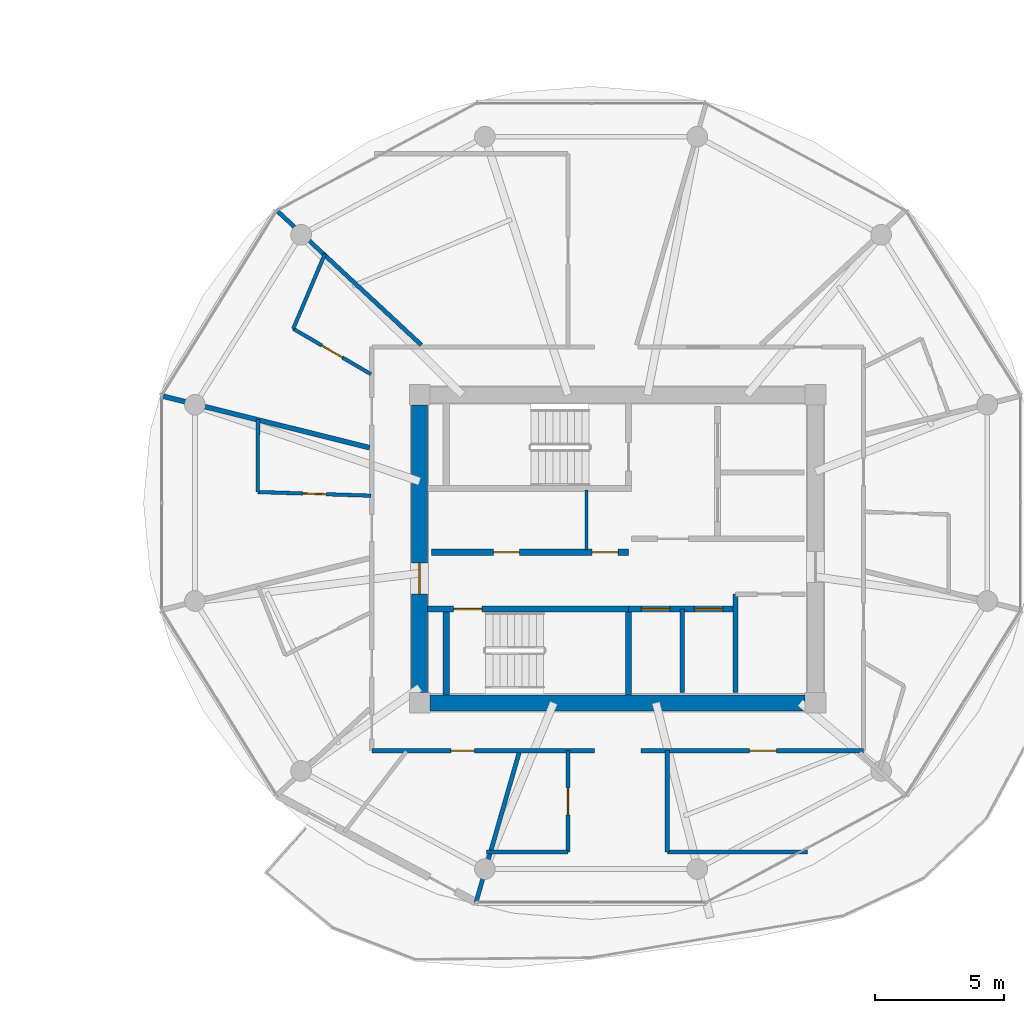
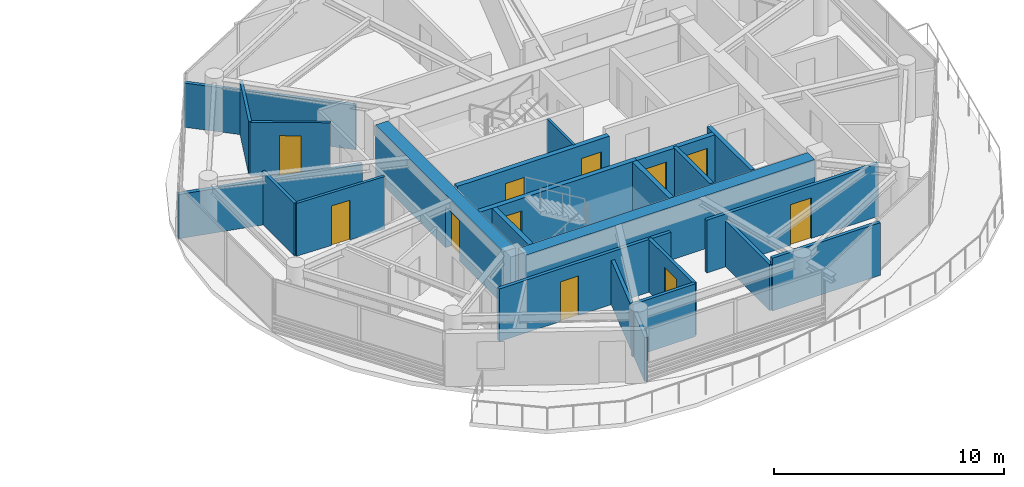
# One storey, part 16 of 24: 23 walls, 11 doors, 11 openings.
"""IFC4 building model written with IfcOpenShell, lengths in metres."""

from ifc_helpers import new_model, si_unit, direction, frame, frame_2d, origin, place, context, subcontext, project, spatial, rectangle, extrude, source, transform, mapped, material, layer, layer_set, type_object, type_shapes, element, fill, save


model = new_model("IFC4")

# Units and contexts
model_context = context("Model", 3, precision=1e-05, world=origin(), true_north=direction((0.0, 1.0)))
body_context = subcontext(model_context, "Body", "Model", "MODEL_VIEW")
ifc_project = project(units=[si_unit("LENGTHUNIT", "METRE"), si_unit("AREAUNIT", "SQUARE_METRE"), si_unit("VOLUMEUNIT", "CUBIC_METRE"), si_unit("PLANEANGLEUNIT", "RADIAN"), si_unit("MASSUNIT", "GRAM", prefix="KILO")], contexts=[model_context])

# Site, building, storey
site_placement = place(None, origin())
site = spatial("IfcSite", under=ifc_project, at=site_placement, CompositionType="ELEMENT")
building_placement = place(site_placement, origin())
building = spatial("IfcBuilding", under=site, at=building_placement, Name="Norrkilde Senior Care Towers", CompositionType="ELEMENT")
storey_placement = place(building_placement, frame((0.0, 0.0, 155.64990234375)))
storey = spatial("IfcBuildingStorey", under=building, at=storey_placement, Name="L48", CompositionType="ELEMENT", Elevation=155.64990234375)

# Wall
ifc_material_1 = material(Name="Concrete C50/60", Category="concrete")
ifc_layer_1 = layer(ifc_material_1, 0.6201171875)
ifc_layer_set_1 = layer_set([ifc_layer_1], Name="Concrete C50/60")
wall_type_1 = type_object("IfcWallType", Name="Core Shear Wall Z3 620", PredefinedType="SHEAR", material=ifc_layer_set_1)
shared_shape_1 = source(origin(), body_context, "Body", "SweptSolid", [
    extrude(rectangle(XDim=14.5, YDim=0.6201171875, at=frame_2d((7.25, 0.0))), origin(), (0.0, 0.0, 1.0), 2.81005859375),
])
wall_1_placement = place(storey_placement, frame((35.25, -5.949951171875, 0.0), z_axis=(0.0, 0.0, 1.0), x_axis=(-1.0, 0.0, 0.0)))
element("IfcWall", 1, at=wall_1_placement, inside=storey, type_object=wall_type_1, Name="L48 Core E South Shear Wall", PredefinedType="SHEAR", context=body_context, shape_type="MappedRepresentation", body=[
    mapped(shared_shape_1, transform((0.0, 0.0, 0.0), x_axis=(1.0, 0.0, 0.0), y_axis=(0.0, 1.0, 0.0), z_axis=(0.0, 0.0, 1.0), scale=1.0)),
])

# Wall, opening, door
shared_shape_2 = source(origin(), body_context, "Body", "SweptSolid", [
    extrude(rectangle(XDim=11.10009765625, YDim=0.6201171875, at=frame_2d((5.550048828125, 0.0))), origin(), (0.0, 0.0, 1.0), 2.81005859375),
])
type_shapes(wall_type_1, [shared_shape_1, shared_shape_2])
wall_2_placement = place(storey_placement, frame((20.35009765625, -5.550048828125, 0.0), z_axis=(0.0, 0.0, 1.0), x_axis=(0.0, 1.0, 0.0)))
wall_2 = element("IfcWall", 2, at=wall_2_placement, inside=storey, type_object=wall_type_1, Name="L48 Core E West Shear Wall", PredefinedType="SHEAR", context=body_context, shape_type="MappedRepresentation", body=[
    mapped(shared_shape_2, transform((0.0, 0.0, 0.0), x_axis=(1.0, 0.0, 0.0), y_axis=(0.0, 1.0, 0.0), z_axis=(0.0, 0.0, 1.0), scale=1.0)),
])
opening_1_placement = place(wall_2_placement, frame((3.800048828125, 0.0, 0.0)))
opening_1 = element("IfcOpeningElement", 3, at=opening_1_placement, cuts=wall_2, Name="Opening D-04", PredefinedType="OPENING", context=body_context, shape_type="SweptSolid", body=[
    extrude(rectangle(XDim=1.199951171875, YDim=2.14990234375, at=frame_2d((0.60009765625, 1.074951171875))), frame((0.0, 0.320068359375, 0.0), z_axis=(0.0, -1.0, 0.0), x_axis=(1.0, 0.0, 0.0)), (0.0, 0.0, 1.0), 0.64013671875),
])
ifc_material_2 = material(Name="Galvanised Painted Steel", Category="steel")
door_type_1 = type_object("IfcDoorType", Name="Firefighting Lobby Fire Door 1200x2150", OperationType="NOTDEFINED", PredefinedType="DOOR", material=ifc_material_2)
shared_shape_3 = source(origin(), body_context, "Body", "SweptSolid", [
    extrude(rectangle(XDim=1.199951171875, YDim=2.14990234375, at=frame_2d((0.60009765625, 1.074951171875))), frame((0.0, 0.02490234375, 0.0), z_axis=(0.0, -1.0, 0.0), x_axis=(1.0, 0.0, 0.0)), (0.0, 0.0, 1.0), 0.050048828125),
])
type_shapes(door_type_1, [shared_shape_3])
door_1_placement = place(opening_1_placement, frame((1.199951171875, 0.0, 0.0), z_axis=(0.0, 0.0, 1.0), x_axis=(-1.0, 0.0, 0.0)))
door_1 = element("IfcDoor", 4, at=door_1_placement, inside=storey, type_object=door_type_1, Name="L48 Core E West Portal Door", OperationType="SINGLE_SWING_LEFT", OverallHeight=2.14990234375, OverallWidth=1.199951171875, PredefinedType="DOOR", context=body_context, shape_type="MappedRepresentation", body=[
    mapped(shared_shape_3, transform((0.0, 0.0, 0.0), x_axis=(1.0, 0.0, 0.0), y_axis=(0.0, 1.0, 0.0), z_axis=(0.0, 0.0, 1.0), scale=1.0)),
])
fill(opening_1, door_1)

ifc_material_3 = material(Name="Concrete C45/55", Category="concrete")
ifc_layer_2 = layer(ifc_material_3, 0.239990234375)
ifc_layer_set_2 = layer_set([ifc_layer_2], Name="Concrete C45/55")
wall_type_2 = type_object("IfcWallType", Name="Shaft and Stair Enclosure Wall 240", PredefinedType="PARTITIONING", material=ifc_layer_set_2)
shared_shape_4 = source(origin(), body_context, "Body", "SweptSolid", [
    extrude(rectangle(XDim=7.880126953125, YDim=0.239990234375, at=frame_2d((3.93994140625, 0.0))), origin(), (0.0, 0.0, 1.0), 2.81005859375),
])
wall_3_placement = place(storey_placement, frame((20.659912109375, -2.330078125, 0.0), z_axis=(0.0, 0.0, 1.0), x_axis=(1.0, 0.0, 0.0)))
wall_3 = element("IfcWall", 5, at=wall_3_placement, inside=storey, type_object=wall_type_2, Name="WL-INT-L48-E-ST2N", PredefinedType="PARTITIONING", context=body_context, shape_type="MappedRepresentation", body=[
    mapped(shared_shape_4, transform((0.0, 0.0, 0.0), x_axis=(1.0, 0.0, 0.0), y_axis=(0.0, 1.0, 0.0), z_axis=(0.0, 0.0, 1.0), scale=1.0)),
])
opening_2_placement = place(wall_3_placement, frame((1.0, 0.0, 0.0)))
opening_2 = element("IfcOpeningElement", 6, at=opening_2_placement, cuts=wall_3, Name="Opening D-03", PredefinedType="OPENING", context=body_context, shape_type="SweptSolid", body=[
    extrude(rectangle(XDim=1.10009765625, YDim=2.14990234375, at=frame_2d((0.550048828125, 1.074951171875))), frame((0.0, 0.1298828125, 0.0), z_axis=(0.0, -1.0, 0.0), x_axis=(1.0, 0.0, 0.0)), (0.0, 0.0, 1.0), 0.260009765625),
])
door_type_2 = type_object("IfcDoorType", Name="Stairwell Protected Fire Door 1100x2150", OperationType="NOTDEFINED", PredefinedType="DOOR", material=ifc_material_2)
shared_shape_5 = source(origin(), body_context, "Body", "SweptSolid", [
    extrude(rectangle(XDim=1.10009765625, YDim=2.14990234375, at=frame_2d((0.550048828125, 1.074951171875))), frame((0.0, 0.02490234375, 0.0), z_axis=(0.0, -1.0, 0.0), x_axis=(1.0, 0.0, 0.0)), (0.0, 0.0, 1.0), 0.050048828125),
])
type_shapes(door_type_2, [shared_shape_5])
door_2_placement = place(opening_2_placement, frame((1.10009765625, 0.0, 0.0), z_axis=(0.0, 0.0, 1.0), x_axis=(-1.0, 0.0, 0.0)))
door_2 = element("IfcDoor", 7, at=door_2_placement, inside=storey, type_object=door_type_2, Name="L48 Stair E2 Fire Door", OperationType="SINGLE_SWING_RIGHT", OverallHeight=2.14990234375, OverallWidth=1.10009765625, PredefinedType="DOOR", context=body_context, shape_type="MappedRepresentation", body=[
    mapped(shared_shape_5, transform((0.0, 0.0, 0.0), x_axis=(1.0, 0.0, 0.0), y_axis=(0.0, 1.0, 0.0), z_axis=(0.0, 0.0, 1.0), scale=1.0)),
])
fill(opening_2, door_2)

# Walls
shared_shape_6 = source(origin(), body_context, "Body", "SweptSolid", [
    extrude(rectangle(XDim=3.18994140625, YDim=0.239990234375, at=frame_2d((1.594970703125, 0.0))), origin(), (0.0, 0.0, 1.0), 2.81005859375),
])
type_shapes(wall_type_2, [shared_shape_4, shared_shape_6])
for number, where, z_axis, x_axis, name in (
    (8, (21.3798828125, -5.639892578125, 0.0), (0.0, 0.0, 1.0), (0.0, 1.0, 0.0), "WL-INT-L48-E-ST2W"),
    (9, (28.419921875, -5.639892578125, 0.0), (0.0, 0.0, 1.0), (0.0, 1.0, 0.0), "WL-INT-L48-E-ST2E"),
):
    element("IfcWall", number, at=place(storey_placement, frame(where, z_axis=z_axis, x_axis=x_axis)), inside=storey, type_object=wall_type_2, Name=name, PredefinedType="PARTITIONING", context=body_context, shape_type="MappedRepresentation", body=[
        mapped(shared_shape_6, transform((0.0, 0.0, 0.0), x_axis=(1.0, 0.0, 0.0), y_axis=(0.0, 1.0, 0.0), z_axis=(0.0, 0.0, 1.0), scale=1.0)),
    ])

# Wall, openings, doors
ifc_layer_3 = layer(ifc_material_3, 0.239990234375)
ifc_layer_set_3 = layer_set([ifc_layer_3], Name="Concrete C45/55")
wall_type_3 = type_object("IfcWallType", Name="Lift and Plant Rated Enclosure Partition 240", PredefinedType="PARTITIONING", material=ifc_layer_set_3)
shared_shape_7 = source(origin(), body_context, "Body", "SweptSolid", [
    extrude(rectangle(XDim=7.619873046875, YDim=0.239990234375, at=frame_2d((3.81005859375, 0.0))), origin(), (0.0, 0.0, 1.0), 2.795166015625),
])
wall_4_placement = place(storey_placement, frame((20.800048828125, -0.1298828125, 0.0), z_axis=(0.0, 0.0, 1.0), x_axis=(1.0, 0.0, 0.0)))
wall_4 = element("IfcWall", 10, at=wall_4_placement, inside=storey, type_object=wall_type_3, Name="WL-INT-L48-E-PKAS", PredefinedType="PARTITIONING", context=body_context, shape_type="MappedRepresentation", body=[
    mapped(shared_shape_7, transform((0.0, 0.0, 0.0), x_axis=(1.0, 0.0, 0.0), y_axis=(0.0, 1.0, 0.0), z_axis=(0.0, 0.0, 1.0), scale=1.0)),
])
opening_3_placement = place(wall_4_placement, frame((6.219970703125, 0.0, 0.0)))
opening_3 = element("IfcOpeningElement", 11, at=opening_3_placement, cuts=wall_4, Name="Opening D-10", PredefinedType="OPENING", context=body_context, shape_type="SweptSolid", body=[
    extrude(rectangle(XDim=1.0, YDim=2.10009765625, at=frame_2d((0.5, 1.050048828125))), frame((0.0, 0.1298828125, 0.0), z_axis=(0.0, -1.0, 0.0), x_axis=(1.0, 0.0, 0.0)), (0.0, 0.0, 1.0), 0.260009765625),
])
opening_4_placement = place(wall_4_placement, frame((2.39990234375, 0.0, 0.0)))
opening_4 = element("IfcOpeningElement", 12, at=opening_4_placement, cuts=wall_4, Name="Opening D-10", PredefinedType="OPENING", context=body_context, shape_type="SweptSolid", body=[
    extrude(rectangle(XDim=1.0, YDim=2.10009765625, at=frame_2d((0.5, 1.050048828125))), frame((0.0, 0.1298828125, 0.0), z_axis=(0.0, -1.0, 0.0), x_axis=(1.0, 0.0, 0.0)), (0.0, 0.0, 1.0), 0.260009765625),
])
door_type_3 = type_object("IfcDoorType", Name="Plant and Riser Rated Door 1000x2100", OperationType="NOTDEFINED", PredefinedType="DOOR", material=ifc_material_2)
shared_shape_8 = source(origin(), body_context, "Body", "SweptSolid", [
    extrude(rectangle(XDim=1.0, YDim=2.10009765625, at=frame_2d((0.5, 1.050048828125))), frame((0.0, 0.02490234375, 0.0), z_axis=(0.0, -1.0, 0.0), x_axis=(1.0, 0.0, 0.0)), (0.0, 0.0, 1.0), 0.050048828125),
])
type_shapes(door_type_3, [shared_shape_8])
door_3_placement = place(opening_3_placement, frame((1.0, 0.0, 0.0), z_axis=(0.0, 0.0, 1.0), x_axis=(-1.0, 0.0, 0.0)))
door_3 = element("IfcDoor", 13, at=door_3_placement, inside=storey, type_object=door_type_3, Name="L48 Electrical Riser E Door", OperationType="SINGLE_SWING_LEFT", OverallHeight=2.10009765625, OverallWidth=1.0, PredefinedType="DOOR", context=body_context, shape_type="MappedRepresentation", body=[
    mapped(shared_shape_8, transform((0.0, 0.0, 0.0), x_axis=(1.0, 0.0, 0.0), y_axis=(0.0, 1.0, 0.0), z_axis=(0.0, 0.0, 1.0), scale=1.0)),
])
fill(opening_3, door_3)
door_4_placement = place(opening_4_placement, frame((1.0, 0.0, 0.0), z_axis=(0.0, 0.0, 1.0), x_axis=(-1.0, 0.0, 0.0)))
door_4 = element("IfcDoor", 14, at=door_4_placement, inside=storey, type_object=door_type_3, Name="L48 Clean Supply Store E Door", OperationType="SINGLE_SWING_LEFT", OverallHeight=2.10009765625, OverallWidth=1.0, PredefinedType="DOOR", context=body_context, shape_type="MappedRepresentation", body=[
    mapped(shared_shape_8, transform((0.0, 0.0, 0.0), x_axis=(1.0, 0.0, 0.0), y_axis=(0.0, 1.0, 0.0), z_axis=(0.0, 0.0, 1.0), scale=1.0)),
])
fill(opening_4, door_4)

# Walls
ifc_material_4 = material(Name="Gypsum Acoustic Board")
ifc_layer_4 = layer(ifc_material_4, 0.114990234375)
ifc_layer_set_4 = layer_set([ifc_layer_4], Name="Gypsum Acoustic Board")
wall_type_4 = type_object("IfcWallType", Name="Internal Room Partition 115", PredefinedType="PARTITIONING", material=ifc_layer_set_4)
shared_shape_9 = source(origin(), body_context, "Body", "SweptSolid", [
    extrude(rectangle(XDim=2.330078125, YDim=0.114990234375, at=frame_2d((1.1650390625, 0.0))), origin(), (0.0, 0.0, 1.0), 2.795166015625),
])
type_shapes(wall_type_4, [shared_shape_9])
wall_5_placement = place(storey_placement, frame((26.7900390625, -0.050048828125, 0.0), z_axis=(0.0, 0.0, 1.0), x_axis=(0.0, 1.0, 0.0)))
element("IfcWall", 15, at=wall_5_placement, inside=storey, type_object=wall_type_4, Name="WL-INT-L48-E-RISW", PredefinedType="PARTITIONING", context=body_context, shape_type="MappedRepresentation", body=[
    mapped(shared_shape_9, transform((0.0, 0.0, 0.0), x_axis=(1.0, 0.0, 0.0), y_axis=(0.0, 1.0, 0.0), z_axis=(0.0, 0.0, 1.0), scale=1.0)),
])
ifc_layer_5 = layer(ifc_material_3, 0.199951171875)
ifc_layer_set_5 = layer_set([ifc_layer_5], Name="Concrete C45/55")
wall_type_5 = type_object("IfcWallType", Name="Shaft Division and Plant Partition 200", PredefinedType="PARTITIONING", material=ifc_layer_set_5)
shared_shape_10 = source(origin(), body_context, "Body", "SweptSolid", [
    extrude(rectangle(XDim=3.800048828125, YDim=0.199951171875, at=frame_2d((1.89990234375, 0.0))), origin(), (0.0, 0.0, 1.0), 2.795166015625),
])
type_shapes(wall_type_5, [shared_shape_10])
wall_6_placement = place(storey_placement, frame((32.550048828125, -5.550048828125, 0.0), z_axis=(0.0, 0.0, 1.0), x_axis=(0.0, 1.0, 0.0)))
element("IfcWall", 16, at=wall_6_placement, inside=storey, type_object=wall_type_5, Name="WL-INT-L48-E-PKBE", PredefinedType="PARTITIONING", context=body_context, shape_type="MappedRepresentation", body=[
    mapped(shared_shape_10, transform((0.0, 0.0, 0.0), x_axis=(1.0, 0.0, 0.0), y_axis=(0.0, 1.0, 0.0), z_axis=(0.0, 0.0, 1.0), scale=1.0)),
])

# Wall, openings, doors
shared_shape_11 = source(origin(), body_context, "Body", "SweptSolid", [
    extrude(rectangle(XDim=4.130126953125, YDim=0.239990234375, at=frame_2d((2.06494140625, 0.0))), origin(), (0.0, 0.0, 1.0), 2.795166015625),
])
type_shapes(wall_type_3, [shared_shape_7, shared_shape_11])
wall_7_placement = place(storey_placement, frame((28.419921875, -2.330078125, 0.0), z_axis=(0.0, 0.0, 1.0), x_axis=(1.0, 0.0, 0.0)))
wall_7 = element("IfcWall", 17, at=wall_7_placement, inside=storey, type_object=wall_type_3, Name="WL-INT-L48-E-PKBN", PredefinedType="PARTITIONING", context=body_context, shape_type="MappedRepresentation", body=[
    mapped(shared_shape_11, transform((0.0, 0.0, 0.0), x_axis=(1.0, 0.0, 0.0), y_axis=(0.0, 1.0, 0.0), z_axis=(0.0, 0.0, 1.0), scale=1.0)),
])
opening_5_placement = place(wall_7_placement, frame((0.5, 0.0, 0.0)))
opening_5 = element("IfcOpeningElement", 18, at=opening_5_placement, cuts=wall_7, Name="Opening LD-01", PredefinedType="OPENING", context=body_context, shape_type="SweptSolid", body=[
    extrude(rectangle(XDim=1.10009765625, YDim=2.199951171875, at=frame_2d((0.550048828125, 1.10009765625))), frame((0.0, 0.1298828125, 0.0), z_axis=(0.0, -1.0, 0.0), x_axis=(1.0, 0.0, 0.0)), (0.0, 0.0, 1.0), 0.260009765625),
])
opening_6_placement = place(wall_7_placement, frame((2.550048828125, 0.0, 0.0)))
opening_6 = element("IfcOpeningElement", 19, at=opening_6_placement, cuts=wall_7, Name="Opening LD-01", PredefinedType="OPENING", context=body_context, shape_type="SweptSolid", body=[
    extrude(rectangle(XDim=1.10009765625, YDim=2.199951171875, at=frame_2d((0.550048828125, 1.10009765625))), frame((0.0, 0.1298828125, 0.0), z_axis=(0.0, -1.0, 0.0), x_axis=(1.0, 0.0, 0.0)), (0.0, 0.0, 1.0), 0.260009765625),
])
ifc_material_5 = material(Name="Stainless Steel", Category="steel")
door_type_4 = type_object("IfcDoorType", Name="Lift Landing Sliding Door 1100x2200", OperationType="NOTDEFINED", PredefinedType="DOOR", material=ifc_material_5)
shared_shape_12 = source(origin(), body_context, "Body", "SweptSolid", [
    extrude(rectangle(XDim=1.10009765625, YDim=2.199951171875, at=frame_2d((0.550048828125, 1.10009765625))), frame((0.0, 0.02490234375, 0.0), z_axis=(0.0, -1.0, 0.0), x_axis=(1.0, 0.0, 0.0)), (0.0, 0.0, 1.0), 0.050048828125),
])
type_shapes(door_type_4, [shared_shape_12])
door_5_placement = place(opening_5_placement, frame((1.10009765625, 0.0, 0.0), z_axis=(0.0, 0.0, 1.0), x_axis=(-1.0, 0.0, 0.0)))
door_5 = element("IfcDoor", 20, at=door_5_placement, inside=storey, type_object=door_type_4, Name="L48 Passenger Lift E3 Landing Door", OperationType="SLIDING_TO_LEFT", OverallHeight=2.199951171875, OverallWidth=1.10009765625, PredefinedType="DOOR", context=body_context, shape_type="MappedRepresentation", body=[
    mapped(shared_shape_12, transform((0.0, 0.0, 0.0), x_axis=(1.0, 0.0, 0.0), y_axis=(0.0, 1.0, 0.0), z_axis=(0.0, 0.0, 1.0), scale=1.0)),
])
fill(opening_5, door_5)
door_6_placement = place(opening_6_placement, frame((1.10009765625, 0.0, 0.0), z_axis=(0.0, 0.0, 1.0), x_axis=(-1.0, 0.0, 0.0)))
door_6 = element("IfcDoor", 21, at=door_6_placement, inside=storey, type_object=door_type_4, Name="L48 Passenger Lift E4 Landing Door", OperationType="SLIDING_TO_RIGHT", OverallHeight=2.199951171875, OverallWidth=1.10009765625, PredefinedType="DOOR", context=body_context, shape_type="MappedRepresentation", body=[
    mapped(shared_shape_12, transform((0.0, 0.0, 0.0), x_axis=(1.0, 0.0, 0.0), y_axis=(0.0, 1.0, 0.0), z_axis=(0.0, 0.0, 1.0), scale=1.0)),
])
fill(opening_6, door_6)

# Wall
ifc_layer_6 = layer(ifc_material_3, 0.179931640625)
ifc_layer_set_6 = layer_set([ifc_layer_6], Name="Concrete C45/55")
wall_type_6 = type_object("IfcWallType", Name="Hoistway Division Rated Partition 180", PredefinedType="PARTITIONING", material=ifc_layer_set_6)
shared_shape_13 = source(origin(), body_context, "Body", "SweptSolid", [
    extrude(rectangle(XDim=3.219970703125, YDim=0.179931640625, at=frame_2d((1.60986328125, 0.0))), origin(), (0.0, 0.0, 1.0), 2.795166015625),
])
type_shapes(wall_type_6, [shared_shape_13])
wall_8_placement = place(storey_placement, frame((30.5, -5.550048828125, 0.0), z_axis=(0.0, 0.0, 1.0), x_axis=(0.0, 1.0, 0.0)))
element("IfcWall", 22, at=wall_8_placement, inside=storey, type_object=wall_type_6, Name="WL-INT-L48-E-PL34", PredefinedType="PARTITIONING", context=body_context, shape_type="MappedRepresentation", body=[
    mapped(shared_shape_13, transform((0.0, 0.0, 0.0), x_axis=(1.0, 0.0, 0.0), y_axis=(0.0, 1.0, 0.0), z_axis=(0.0, 0.0, 1.0), scale=1.0)),
])

# Wall, opening, door
ifc_layer_7 = layer(ifc_material_4, 0.1650390625)
ifc_layer_set_7 = layer_set([ifc_layer_7], Name="Gypsum Acoustic Board")
wall_type_7 = type_object("IfcWallType", Name="Corridor Rated Partition 165", PredefinedType="PARTITIONING", material=ifc_layer_set_7)
shared_shape_14 = source(origin(), body_context, "Body", "SweptSolid", [
    extrude(rectangle(XDim=8.60009765625, YDim=0.1650390625, at=frame_2d((4.300048828125, 0.0))), origin(), (0.0, 0.0, 1.0), 2.795166015625),
])
wall_9_placement = place(storey_placement, frame((37.5, -7.800048828125, 0.0), z_axis=(0.0, 0.0, 1.0), x_axis=(-1.0, 0.0, 0.0)))
wall_9 = element("IfcWall", 23, at=wall_9_placement, inside=storey, type_object=wall_type_7, Name="WL-INT-L48-E-CRW-S-0", PredefinedType="PARTITIONING", context=body_context, shape_type="MappedRepresentation", body=[
    mapped(shared_shape_14, transform((0.0, 0.0, 0.0), x_axis=(1.0, 0.0, 0.0), y_axis=(0.0, 1.0, 0.0), z_axis=(0.0, 0.0, 1.0), scale=1.0)),
])
opening_7_placement = place(wall_9_placement, frame((3.359130859375, 0.0, 0.0)))
opening_7 = element("IfcOpeningElement", 24, at=opening_7_placement, cuts=wall_9, Name="Opening D-06", PredefinedType="OPENING", context=body_context, shape_type="SweptSolid", body=[
    extrude(rectangle(XDim=1.050048828125, YDim=2.14990234375, at=frame_2d((0.52490234375, 1.074951171875))), frame((0.0, 0.092529296875, 0.0), z_axis=(0.0, -1.0, 0.0), x_axis=(1.0, 0.0, 0.0)), (0.0, 0.0, 1.0), 0.18505859375),
])
ifc_material_6 = material(Name="Nordic Ash Timber", Category="wood")
door_type_5 = type_object("IfcDoorType", Name="Apartment Entrance Fire Door 1050x2150", OperationType="NOTDEFINED", PredefinedType="DOOR", material=ifc_material_6)
shared_shape_15 = source(origin(), body_context, "Body", "SweptSolid", [
    extrude(rectangle(XDim=1.050048828125, YDim=2.14990234375, at=frame_2d((0.52490234375, 1.074951171875))), frame((0.0, 0.02490234375, 0.0), z_axis=(0.0, -1.0, 0.0), x_axis=(1.0, 0.0, 0.0)), (0.0, 0.0, 1.0), 0.050048828125),
])
type_shapes(door_type_5, [shared_shape_15])
door_7_placement = place(opening_7_placement, frame((1.050048828125, 0.0, 0.0), z_axis=(0.0, 0.0, 1.0), x_axis=(-1.0, 0.0, 0.0)))
door_7 = element("IfcDoor", 25, at=door_7_placement, inside=storey, type_object=door_type_5, Name="L48 Reading Lounge SEL Door", OperationType="SINGLE_SWING_RIGHT", OverallHeight=2.14990234375, OverallWidth=1.050048828125, PredefinedType="DOOR", context=body_context, shape_type="MappedRepresentation", body=[
    mapped(shared_shape_15, transform((0.0, 0.0, 0.0), x_axis=(1.0, 0.0, 0.0), y_axis=(0.0, 1.0, 0.0), z_axis=(0.0, 0.0, 1.0), scale=1.0)),
])
fill(opening_7, door_7)

wall_10_placement = place(storey_placement, frame((27.10009765625, -7.800048828125, 0.0), z_axis=(0.0, 0.0, 1.0), x_axis=(-1.0, 0.0, 0.0)))
wall_10 = element("IfcWall", 26, at=wall_10_placement, inside=storey, type_object=wall_type_7, Name="WL-INT-L48-E-CRW-S-1", PredefinedType="PARTITIONING", context=body_context, shape_type="MappedRepresentation", body=[
    mapped(shared_shape_14, transform((0.0, 0.0, 0.0), x_axis=(1.0, 0.0, 0.0), y_axis=(0.0, 1.0, 0.0), z_axis=(0.0, 0.0, 1.0), scale=1.0)),
])
opening_8_placement = place(wall_10_placement, frame((4.62451171875, 0.0, 0.0)))
opening_8 = element("IfcOpeningElement", 27, at=opening_8_placement, cuts=wall_10, Name="Opening D-08", PredefinedType="OPENING", context=body_context, shape_type="SweptSolid", body=[
    extrude(rectangle(XDim=0.919921875, YDim=2.10009765625, at=frame_2d((0.4599609375, 1.050048828125))), frame((0.0, 0.092529296875, 0.0), z_axis=(0.0, -1.0, 0.0), x_axis=(1.0, 0.0, 0.0)), (0.0, 0.0, 1.0), 0.18505859375),
])
door_type_6 = type_object("IfcDoorType", Name="Accessible Wet Room Door 920x2100", OperationType="NOTDEFINED", PredefinedType="DOOR", material=ifc_material_6)
shared_shape_16 = source(origin(), body_context, "Body", "SweptSolid", [
    extrude(rectangle(XDim=0.919921875, YDim=2.10009765625, at=frame_2d((0.4599609375, 1.050048828125))), frame((0.0, 0.02490234375, 0.0), z_axis=(0.0, -1.0, 0.0), x_axis=(1.0, 0.0, 0.0)), (0.0, 0.0, 1.0), 0.050048828125),
])
type_shapes(door_type_6, [shared_shape_16])
door_8_placement = place(opening_8_placement, frame((0.919921875, 0.0, 0.0), z_axis=(0.0, 0.0, 1.0), x_axis=(-1.0, 0.0, 0.0)))
door_8 = element("IfcDoor", 28, at=door_8_placement, inside=storey, type_object=door_type_6, Name="L48 Public Restroom Door", OperationType="SINGLE_SWING_LEFT", OverallHeight=2.10009765625, OverallWidth=0.919921875, PredefinedType="DOOR", context=body_context, shape_type="MappedRepresentation", body=[
    mapped(shared_shape_16, transform((0.0, 0.0, 0.0), x_axis=(1.0, 0.0, 0.0), y_axis=(0.0, 1.0, 0.0), z_axis=(0.0, 0.0, 1.0), scale=1.0)),
])
fill(opening_8, door_8)

# Walls
shared_shape_17 = source(origin(), body_context, "Body", "SweptSolid", [
    extrude(rectangle(XDim=6.035400390625, YDim=0.1650390625, at=frame_2d((3.017578125, 0.0))), origin(), (0.0, 0.0, 1.0), 2.34521484375),
])
wall_11_placement = place(storey_placement, frame((24.19384765625, -7.8798828125, 0.0), z_axis=(0.0, 0.0, 1.0), x_axis=(-0.276809454862, -0.960924828329, 0.0)))
element("IfcWall", 29, at=wall_11_placement, inside=storey, type_object=wall_type_7, Name="WL-INT-L48-E-DEM-08-0", PredefinedType="PARTITIONING", context=body_context, shape_type="MappedRepresentation", body=[
    mapped(shared_shape_17, transform((0.0, 0.0, 0.0), x_axis=(1.0, 0.0, 0.0), y_axis=(0.0, 1.0, 0.0), z_axis=(0.0, 0.0, 1.0), scale=1.0)),
])
ifc_layer_8 = layer(ifc_material_4, 0.18994140625)
ifc_layer_set_8 = layer_set([ifc_layer_8], Name="Gypsum Acoustic Board")
wall_type_8 = type_object("IfcWallType", Name="Unit Demising Acoustic Wall 190", PredefinedType="PARTITIONING", material=ifc_layer_set_8)
shared_shape_18 = source(origin(), body_context, "Body", "SweptSolid", [
    extrude(rectangle(XDim=8.305419921875, YDim=0.18994140625, at=frame_2d((4.15283203125, 0.0))), origin(), (0.0, 0.0, 1.0), 2.34521484375),
])
type_shapes(wall_type_8, [shared_shape_18])
wall_12_placement = place(storey_placement, frame((18.419921875, 3.90771484375, 0.0), z_axis=(0.0, 0.0, 1.0), x_axis=(-0.970309994378, 0.241864662175, 0.0)))
element("IfcWall", 30, at=wall_12_placement, inside=storey, type_object=wall_type_8, Name="WL-INT-L48-E-DEM-05-0", PredefinedType="PARTITIONING", context=body_context, shape_type="MappedRepresentation", body=[
    mapped(shared_shape_18, transform((0.0, 0.0, 0.0), x_axis=(1.0, 0.0, 0.0), y_axis=(0.0, 1.0, 0.0), z_axis=(0.0, 0.0, 1.0), scale=1.0)),
])
shared_shape_19 = source(origin(), body_context, "Body", "SweptSolid", [
    extrude(rectangle(XDim=7.648193359375, YDim=0.1650390625, at=frame_2d((3.82421875, 0.0))), origin(), (0.0, 0.0, 1.0), 2.34521484375),
])
wall_13_placement = place(storey_placement, frame((20.41259765625, 7.8798828125, 0.0), z_axis=(0.0, 0.0, 1.0), x_axis=(-0.732182665826, 0.681108320213, 0.0)))
element("IfcWall", 31, at=wall_13_placement, inside=storey, type_object=wall_type_7, Name="WL-INT-L48-E-DEM-04-0", PredefinedType="PARTITIONING", context=body_context, shape_type="MappedRepresentation", body=[
    mapped(shared_shape_19, transform((0.0, 0.0, 0.0), x_axis=(1.0, 0.0, 0.0), y_axis=(0.0, 1.0, 0.0), z_axis=(0.0, 0.0, 1.0), scale=1.0)),
])
shared_shape_20 = source(origin(), body_context, "Body", "SweptSolid", [
    extrude(rectangle(XDim=3.148681640625, YDim=0.1650390625, at=frame_2d((1.57421875, 0.0))), origin(), (0.0, 0.0, 1.0), 2.795166015625),
])
wall_14_placement = place(storey_placement, frame((22.931396484375, -11.714599609375, 0.0), z_axis=(0.0, 0.0, 1.0), x_axis=(1.0, 0.0, 0.0)))
element("IfcWall", 32, at=wall_14_placement, inside=storey, type_object=wall_type_7, Name="WL-INT-L48-E-PKH-SWL-0", PredefinedType="PARTITIONING", context=body_context, shape_type="MappedRepresentation", body=[
    mapped(shared_shape_20, transform((0.0, 0.0, 0.0), x_axis=(1.0, 0.0, 0.0), y_axis=(0.0, 1.0, 0.0), z_axis=(0.0, 0.0, 1.0), scale=1.0)),
])

# Wall, opening, door
shared_shape_21 = source(origin(), body_context, "Body", "SweptSolid", [
    extrude(rectangle(XDim=3.91455078125, YDim=0.1650390625, at=frame_2d((1.957275390625, 0.0))), origin(), (0.0, 0.0, 1.0), 2.795166015625),
])
wall_15_placement = place(storey_placement, frame((26.080078125, -11.714599609375, 0.0), z_axis=(0.0, 0.0, 1.0), x_axis=(0.0, 1.0, 0.0)))
wall_15 = element("IfcWall", 33, at=wall_15_placement, inside=storey, type_object=wall_type_7, Name="WL-INT-L48-E-PKW-SWL", PredefinedType="PARTITIONING", context=body_context, shape_type="MappedRepresentation", body=[
    mapped(shared_shape_21, transform((0.0, 0.0, 0.0), x_axis=(1.0, 0.0, 0.0), y_axis=(0.0, 1.0, 0.0), z_axis=(0.0, 0.0, 1.0), scale=1.0)),
])
opening_9_placement = place(wall_15_placement, frame((1.432373046875, 0.0, 0.0)))
opening_9 = element("IfcOpeningElement", 34, at=opening_9_placement, cuts=wall_15, Name="Opening D-06", PredefinedType="OPENING", context=body_context, shape_type="SweptSolid", body=[
    extrude(rectangle(XDim=1.050048828125, YDim=2.14990234375, at=frame_2d((0.52490234375, 1.074951171875))), frame((0.0, 0.092529296875, 0.0), z_axis=(0.0, -1.0, 0.0), x_axis=(1.0, 0.0, 0.0)), (0.0, 0.0, 1.0), 0.18505859375),
])
door_9_placement = place(opening_9_placement, frame((1.050048828125, 0.0, 0.0), z_axis=(0.0, 0.0, 1.0), x_axis=(-1.0, 0.0, 0.0)))
door_9 = element("IfcDoor", 35, at=door_9_placement, inside=storey, type_object=door_type_5, Name="L48 Reading Lounge SWL Door", OperationType="SINGLE_SWING_RIGHT", OverallHeight=2.14990234375, OverallWidth=1.050048828125, PredefinedType="DOOR", context=body_context, shape_type="MappedRepresentation", body=[
    mapped(shared_shape_15, transform((0.0, 0.0, 0.0), x_axis=(1.0, 0.0, 0.0), y_axis=(0.0, 1.0, 0.0), z_axis=(0.0, 0.0, 1.0), scale=1.0)),
])
fill(opening_9, door_9)

# Walls
shared_shape_22 = source(origin(), body_context, "Body", "SweptSolid", [
    extrude(rectangle(XDim=3.91455078125, YDim=0.1650390625, at=frame_2d((1.957275390625, 0.0))), origin(), (0.0, 0.0, 1.0), 2.43505859375),
])
wall_16_placement = place(storey_placement, frame((29.919921875, -11.714599609375, 0.0), z_axis=(0.0, 0.0, 1.0), x_axis=(0.0, 1.0, 0.0)))
element("IfcWall", 36, at=wall_16_placement, inside=storey, type_object=wall_type_7, Name="WL-INT-L48-E-PKW-SEL", PredefinedType="PARTITIONING", context=body_context, shape_type="MappedRepresentation", body=[
    mapped(shared_shape_22, transform((0.0, 0.0, 0.0), x_axis=(1.0, 0.0, 0.0), y_axis=(0.0, 1.0, 0.0), z_axis=(0.0, 0.0, 1.0), scale=1.0)),
])
shared_shape_23 = source(origin(), body_context, "Body", "SweptSolid", [
    extrude(rectangle(XDim=5.42333984375, YDim=0.1650390625, at=frame_2d((2.711669921875, 0.0))), origin(), (0.0, 0.0, 1.0), 2.795166015625),
])
type_shapes(wall_type_7, [shared_shape_14, shared_shape_17, shared_shape_19, shared_shape_20, shared_shape_21, shared_shape_22, shared_shape_23])
wall_17_placement = place(storey_placement, frame((29.919921875, -11.714599609375, 0.0), z_axis=(0.0, 0.0, 1.0), x_axis=(1.0, 0.0, 0.0)))
element("IfcWall", 37, at=wall_17_placement, inside=storey, type_object=wall_type_7, Name="WL-INT-L48-E-PKH-SEL-0", PredefinedType="PARTITIONING", context=body_context, shape_type="MappedRepresentation", body=[
    mapped(shared_shape_23, transform((0.0, 0.0, 0.0), x_axis=(1.0, 0.0, 0.0), y_axis=(0.0, 1.0, 0.0), z_axis=(0.0, 0.0, 1.0), scale=1.0)),
])

# Wall, opening, door
ifc_layer_9 = layer(ifc_material_4, 0.139892578125)
ifc_layer_set_9 = layer_set([ifc_layer_9], Name="Gypsum Acoustic Board")
wall_type_9 = type_object("IfcWallType", Name="En-suite Wet Room Wall 140", PredefinedType="PARTITIONING", material=ifc_layer_set_9)
shared_shape_24 = source(origin(), body_context, "Body", "SweptSolid", [
    extrude(rectangle(XDim=3.480712890625, YDim=0.139892578125, at=frame_2d((1.740234375, 0.0))), origin(), (0.0, 0.0, 1.0), 2.795166015625),
])
wall_18_placement = place(storey_placement, frame((18.469970703125, 6.747802734375, 0.0), z_axis=(0.0, 0.0, 1.0), x_axis=(-0.863310428788, 0.504673264148, 0.0)))
wall_18 = element("IfcWall", 38, at=wall_18_placement, inside=storey, type_object=wall_type_9, Name="WL-INT-L48-E-ES-04", PredefinedType="PARTITIONING", context=body_context, shape_type="MappedRepresentation", body=[
    mapped(shared_shape_24, transform((0.0, 0.0, 0.0), x_axis=(1.0, 0.0, 0.0), y_axis=(0.0, 1.0, 0.0), z_axis=(0.0, 0.0, 1.0), scale=1.0)),
])
opening_10_placement = place(wall_18_placement, frame((1.2802734375, 0.0, 0.0)))
opening_10 = element("IfcOpeningElement", 39, at=opening_10_placement, cuts=wall_18, Name="Opening D-08", PredefinedType="OPENING", context=body_context, shape_type="SweptSolid", body=[
    extrude(rectangle(XDim=0.919921875, YDim=2.10009765625, at=frame_2d((0.4599609375, 1.050048828125))), frame((0.0, 0.079833984375, 0.0), z_axis=(0.0, -1.0, 0.0), x_axis=(1.0, 0.0, 0.0)), (0.0, 0.0, 1.0), 0.159912109375),
])
door_10_placement = place(opening_10_placement, origin())
door_10 = element("IfcDoor", 40, at=door_10_placement, inside=storey, type_object=door_type_6, Name="L48 Studio 48A Bathroom Door", OperationType="SINGLE_SWING_RIGHT", OverallHeight=2.10009765625, OverallWidth=0.919921875, PredefinedType="DOOR", context=body_context, shape_type="MappedRepresentation", body=[
    mapped(shared_shape_16, transform((0.0, 0.0, 0.0), x_axis=(1.0, 0.0, 0.0), y_axis=(0.0, 1.0, 0.0), z_axis=(0.0, 0.0, 1.0), scale=1.0)),
])
fill(opening_10, door_10)

# Wall
shared_shape_25 = source(origin(), body_context, "Body", "SweptSolid", [
    extrude(rectangle(XDim=3.142333984375, YDim=0.139892578125, at=frame_2d((1.5712890625, 0.0))), origin(), (0.0, 0.0, 1.0), 2.795166015625),
])
wall_19_placement = place(storey_placement, frame((15.465087890625, 8.50439453125, 0.0), z_axis=(0.0, 0.0, 1.0), x_axis=(0.389855410514, 0.920876082268, 0.0)))
element("IfcWall", 41, at=wall_19_placement, inside=storey, type_object=wall_type_9, Name="WL-INT-L48-E-EF-04", PredefinedType="PARTITIONING", context=body_context, shape_type="MappedRepresentation", body=[
    mapped(shared_shape_25, transform((0.0, 0.0, 0.0), x_axis=(1.0, 0.0, 0.0), y_axis=(0.0, 1.0, 0.0), z_axis=(0.0, 0.0, 1.0), scale=1.0)),
])

# Wall, opening, door
shared_shape_26 = source(origin(), body_context, "Body", "SweptSolid", [
    extrude(rectangle(XDim=4.376953125, YDim=0.139892578125, at=frame_2d((2.1884765625, 0.0))), origin(), (0.0, 0.0, 1.0), 2.795166015625),
])
wall_20_placement = place(storey_placement, frame((18.469970703125, 2.05322265625, 0.0), z_axis=(0.0, 0.0, 1.0), x_axis=(-0.99946745582, 0.032631346225, 0.0)))
wall_20 = element("IfcWall", 42, at=wall_20_placement, inside=storey, type_object=wall_type_9, Name="WL-INT-L48-E-ES-05", PredefinedType="PARTITIONING", context=body_context, shape_type="MappedRepresentation", body=[
    mapped(shared_shape_26, transform((0.0, 0.0, 0.0), x_axis=(1.0, 0.0, 0.0), y_axis=(0.0, 1.0, 0.0), z_axis=(0.0, 0.0, 1.0), scale=1.0)),
])
opening_11_placement = place(wall_20_placement, frame((1.728515625, 0.0, 0.0)))
opening_11 = element("IfcOpeningElement", 43, at=opening_11_placement, cuts=wall_20, Name="Opening D-08", PredefinedType="OPENING", context=body_context, shape_type="SweptSolid", body=[
    extrude(rectangle(XDim=0.919921875, YDim=2.10009765625, at=frame_2d((0.4599609375, 1.050048828125))), frame((0.0, 0.079833984375, 0.0), z_axis=(0.0, -1.0, 0.0), x_axis=(1.0, 0.0, 0.0)), (0.0, 0.0, 1.0), 0.159912109375),
])
door_11_placement = place(opening_11_placement, origin())
door_11 = element("IfcDoor", 44, at=door_11_placement, inside=storey, type_object=door_type_6, Name="L48 Studio 48B Bathroom Door", OperationType="SINGLE_SWING_LEFT", OverallHeight=2.10009765625, OverallWidth=0.919921875, PredefinedType="DOOR", context=body_context, shape_type="MappedRepresentation", body=[
    mapped(shared_shape_16, transform((0.0, 0.0, 0.0), x_axis=(1.0, 0.0, 0.0), y_axis=(0.0, 1.0, 0.0), z_axis=(0.0, 0.0, 1.0), scale=1.0)),
])
fill(opening_11, door_11)

# Wall
shared_shape_27 = source(origin(), body_context, "Body", "SweptSolid", [
    extrude(rectangle(XDim=2.806396484375, YDim=0.139892578125, at=frame_2d((1.4033203125, 0.0))), origin(), (0.0, 0.0, 1.0), 2.795166015625),
])
type_shapes(wall_type_9, [shared_shape_24, shared_shape_25, shared_shape_26, shared_shape_27])
wall_21_placement = place(storey_placement, frame((14.095458984375, 2.196044921875, 0.0), z_axis=(0.0, 0.0, 1.0), x_axis=(0.002435834444, 0.999997033351, 0.0)))
element("IfcWall", 45, at=wall_21_placement, inside=storey, type_object=wall_type_9, Name="WL-INT-L48-E-EF-05", PredefinedType="PARTITIONING", context=body_context, shape_type="MappedRepresentation", body=[
    mapped(shared_shape_27, transform((0.0, 0.0, 0.0), x_axis=(1.0, 0.0, 0.0), y_axis=(0.0, 1.0, 0.0), z_axis=(0.0, 0.0, 1.0), scale=1.0)),
])

save(model, "model.ifc")
